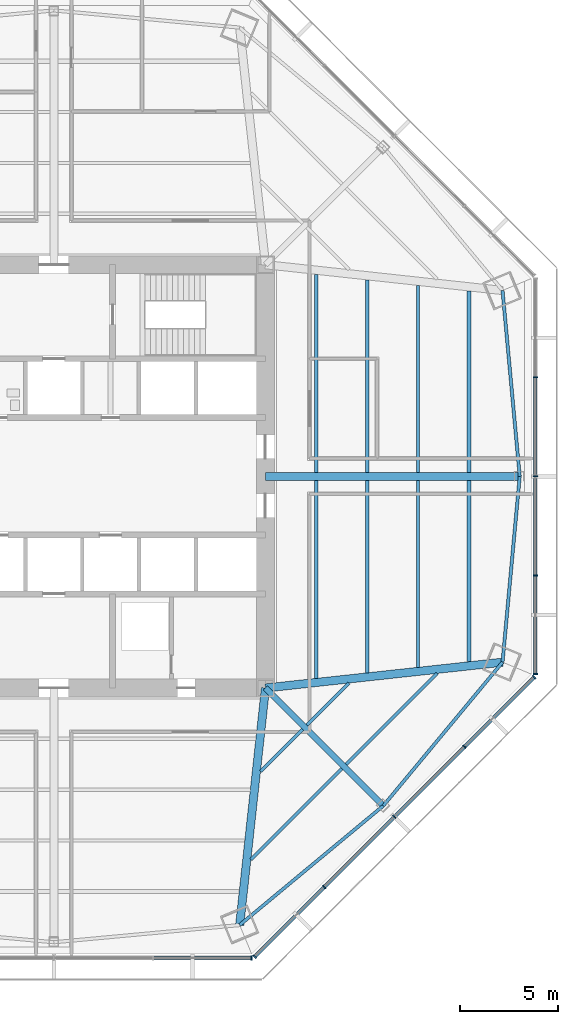
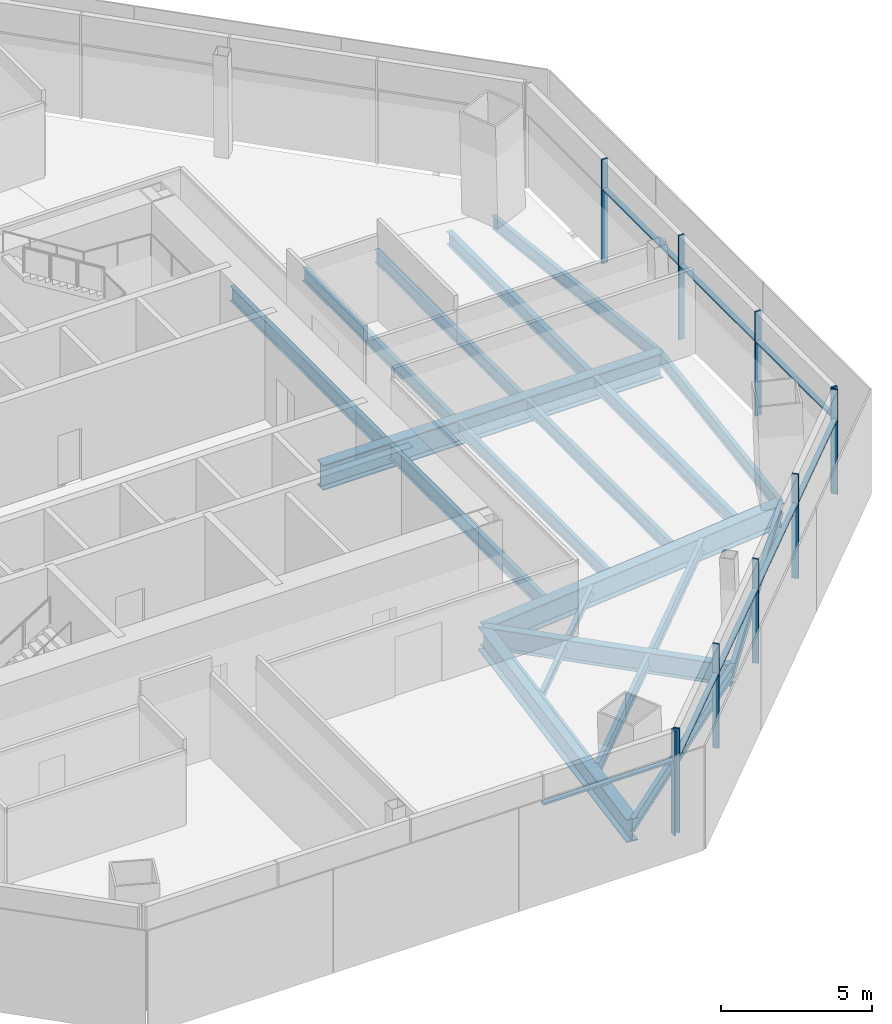
# One storey, part 4 of 14: 20 beams, 18 members, 3 elements without a shape of their own.
"""IFC4 building model written with IfcOpenShell, lengths in metres."""

from ifc_helpers import new_model, si_unit, direction, frame, origin, origin_2d, place, context, subcontext, project, spatial, rectangle, i_section, extrude, source, transform, mapped, material, material_profile, profile_set, type_object, type_shapes, element, aggregate, save


model = new_model("IFC4")

# Units and contexts
model_context = context("Model", 3, precision=1e-05, world=origin(), true_north=direction((0.0, 1.0)))
body_context = subcontext(model_context, "Body", "Model", "MODEL_VIEW")
ifc_project = project(units=[si_unit("LENGTHUNIT", "METRE"), si_unit("AREAUNIT", "SQUARE_METRE"), si_unit("VOLUMEUNIT", "CUBIC_METRE"), si_unit("PLANEANGLEUNIT", "RADIAN"), si_unit("MASSUNIT", "GRAM", prefix="KILO")], contexts=[model_context])

# Site, building, storey
site_placement = place(None, origin())
site = spatial("IfcSite", under=ifc_project, at=site_placement, CompositionType="ELEMENT")
building_placement = place(site_placement, origin())
building = spatial("IfcBuilding", under=site, at=building_placement, Name="Mashrafa Tower", CompositionType="ELEMENT")
storey_placement = place(building_placement, frame((0.0, 0.0, 121.800048828125)))
storey = spatial("IfcBuildingStorey", under=building, at=storey_placement, Name="L27", CompositionType="ELEMENT", Elevation=121.800048828125)

# Beams
ifc_material_1 = material(Name="Steel ASTM A992", Category="steel")
ifc_material_profile_1 = material_profile(ifc_material_1, i_section(OverallWidth=0.164794921875, OverallDepth=0.309814453125, WebThickness=0.005859375, FlangeThickness=0.009765625, FilletRadius=0.007568359375, at=origin_2d()), Name="W12X26")
ifc_profile_set_1 = profile_set([ifc_material_profile_1], Name="Steel ASTM A992")
beam_type_1 = type_object("IfcBeamType", Name="Beam W12X26", PredefinedType="BEAM", material=ifc_profile_set_1)
for number, where, z_axis, x_axis, name in (
    (1, (12.7001953125, -12.90673828125, -0.320068359375), (-0.707106781187, -0.707106781187, 0.0), (0.707106781187, -0.707106781187, 0.0), "Floor beam L27 035"),
    (2, (15.059814453125, -10.547119140625, -0.320068359375), (-0.707106781187, -0.707106781187, 0.0), (0.707106781187, -0.707106781187, 0.0), "Floor beam L27 041"),
):
    element("IfcBeam", number, at=place(storey_placement, frame(where, z_axis=z_axis, x_axis=x_axis)), inside=storey, type_object=beam_type_1, Name=name, PredefinedType="BEAM", context=body_context, shape_type="SweptSolid", body=[
        extrude(i_section(OverallWidth=0.164794921875, OverallDepth=0.309814453125, WebThickness=0.005859375, FlangeThickness=0.009765625, FilletRadius=0.007568359375, at=origin_2d()), origin(), (0.0, 0.0, 1.0), 3.044921875),
    ])
ifc_material_2 = material(Name="Steel ASTM A992", Category="steel")
ifc_material_profile_2 = material_profile(ifc_material_2, i_section(OverallWidth=0.1650390625, OverallDepth=0.52587890625, WebThickness=0.0087890625, FlangeThickness=0.011474609375, FilletRadius=0.0126953125, at=origin_2d()), Name="W21X44")
ifc_profile_set_2 = profile_set([ifc_material_profile_2], Name="Steel ASTM A992")
beam_type_2 = type_object("IfcBeamType", Name="Beam W21X44", PredefinedType="BEAM", material=ifc_profile_set_2)
beam_1_placement = place(storey_placement, frame((14.703857421875, -14.910400390625, -0.427978515625), z_axis=(-0.707106781187, -0.707106781187, 0.0), x_axis=(0.707106781187, -0.707106781187, 0.0)))
element("IfcBeam", 3, at=beam_1_placement, inside=storey, type_object=beam_type_2, Name="Floor beam L27 039", PredefinedType="BEAM", context=body_context, shape_type="SweptSolid", body=[
    extrude(i_section(OverallWidth=0.1650390625, OverallDepth=0.52587890625, WebThickness=0.0087890625, FlangeThickness=0.011474609375, FilletRadius=0.0126953125, at=origin_2d()), origin(), (0.0, 0.0, 1.0), 6.5703125),
])
for number, where, z_axis, x_axis, name in (
    (4, (15.989501953125, -0.20068359375, -0.427978515625), (0.0, -1.0, 0.0), (1.0, 0.0, 0.0), "Floor beam L27 042"),
    (5, (15.989501953125, 10.0244140625, -0.427978515625), (0.0, -1.0, 0.0), (1.0, 0.0, 0.0), "Floor beam L27 043"),
):
    element("IfcBeam", number, at=place(storey_placement, frame(where, z_axis=z_axis, x_axis=x_axis)), inside=storey, type_object=beam_type_2, Name=name, PredefinedType="BEAM", context=body_context, shape_type="SweptSolid", body=[
        extrude(i_section(OverallWidth=0.1650390625, OverallDepth=0.52587890625, WebThickness=0.0087890625, FlangeThickness=0.011474609375, FilletRadius=0.0126953125, at=origin_2d()), origin(), (0.0, 0.0, 1.0), 9.82373046875),
    ])
for number, where, z_axis, x_axis, name in (
    (6, (18.584228515625, -0.20068359375, -0.427978515625), (0.0, -1.0, 0.0), (1.0, 0.0, 0.0), "Floor beam L27 044"),
    (7, (18.584228515625, 9.7421875, -0.427978515625), (0.0, -1.0, 0.0), (1.0, 0.0, 0.0), "Floor beam L27 045"),
):
    element("IfcBeam", number, at=place(storey_placement, frame(where, z_axis=z_axis, x_axis=x_axis)), inside=storey, type_object=beam_type_2, Name=name, PredefinedType="BEAM", context=body_context, shape_type="SweptSolid", body=[
        extrude(i_section(OverallWidth=0.1650390625, OverallDepth=0.52587890625, WebThickness=0.0087890625, FlangeThickness=0.011474609375, FilletRadius=0.0126953125, at=origin_2d()), origin(), (0.0, 0.0, 1.0), 9.54150390625),
    ])
beam_2_placement = place(storey_placement, frame((19.556396484375, -10.057861328125, -0.427978515625), z_axis=(-0.707106781187, -0.707106781187, 0.0), x_axis=(0.707106781187, -0.707106781187, 0.0)))
element("IfcBeam", 8, at=beam_2_placement, inside=storey, type_object=beam_type_2, Name="Floor beam L27 046", PredefinedType="BEAM", context=body_context, shape_type="SweptSolid", body=[
    extrude(i_section(OverallWidth=0.1650390625, OverallDepth=0.52587890625, WebThickness=0.0087890625, FlangeThickness=0.011474609375, FilletRadius=0.0126953125, at=origin_2d()), origin(), (0.0, 0.0, 1.0), 6.5703125),
])
for number, where, z_axis, x_axis, name in (
    (9, (9.483642578125, -22.8955078125, -0.427978515625), (0.769293874267, 0.638895089209, 0.0), (-0.638895089209, 0.769293874267, 0.0), "Spandrel beam L27 074"),
    (10, (16.810546875, -16.810546875, -0.427978515625), (0.638895089209, 0.769293874267, 0.0), (-0.769293874267, 0.638895089209, 0.0), "Spandrel beam L27 076"),
    (11, (22.8955078125, -9.483642578125, -0.427978515625), (0.092204329172, 0.995740107499, 0.0), (-0.995740107499, 0.092204329172, 0.0), "Spandrel beam L27 078"),
    (12, (23.773681640625, 0.0, -0.427978515625), (-0.092204329172, 0.995740107499, 0.0), (-0.995740107499, -0.092204329172, 0.0), "Spandrel beam L27 080"),
):
    element("IfcBeam", number, at=place(storey_placement, frame(where, z_axis=z_axis, x_axis=x_axis)), inside=storey, type_object=beam_type_2, Name=name, PredefinedType="BEAM", context=body_context, shape_type="SweptSolid", body=[
        extrude(i_section(OverallWidth=0.1650390625, OverallDepth=0.52587890625, WebThickness=0.0087890625, FlangeThickness=0.011474609375, FilletRadius=0.0126953125, at=origin_2d()), origin(), (0.0, 0.0, 1.0), 9.524169921875),
    ])
ifc_material_3 = material(Name="Steel ASTM A992", Category="steel")
ifc_material_profile_3 = material_profile(ifc_material_3, i_section(OverallWidth=0.209228515625, OverallDepth=0.533447265625, WebThickness=0.01025390625, FlangeThickness=0.015625, FilletRadius=0.012939453125, at=origin_2d()), Name="W21X62")
ifc_profile_set_3 = profile_set([ifc_material_profile_3], Name="Steel ASTM A992")
beam_type_3 = type_object("IfcBeamType", Name="Beam W21X62", PredefinedType="BEAM", material=ifc_profile_set_3)
for number, where, z_axis, x_axis, name in (
    (13, (21.178955078125, -0.20068359375, -0.431640625), (0.0, -1.0, 0.0), (1.0, 0.0, 0.0), "Floor beam L27 047"),
    (14, (21.178955078125, 9.459716796875, -0.431640625), (0.0, -1.0, 0.0), (1.0, 0.0, 0.0), "Floor beam L27 048"),
):
    element("IfcBeam", number, at=place(storey_placement, frame(where, z_axis=z_axis, x_axis=x_axis)), inside=storey, type_object=beam_type_3, Name=name, PredefinedType="BEAM", context=body_context, shape_type="SweptSolid", body=[
        extrude(i_section(OverallWidth=0.209228515625, OverallDepth=0.533447265625, WebThickness=0.01025390625, FlangeThickness=0.015625, FilletRadius=0.012939453125, at=origin_2d()), origin(), (0.0, 0.0, 1.0), 9.259033203125),
    ])
ifc_material_4 = material(Name="Steel ASTM A992", Category="steel")
ifc_material_profile_4 = material_profile(ifc_material_4, i_section(OverallWidth=0.177978515625, OverallDepth=0.599365234375, WebThickness=0.010009765625, FlangeThickness=0.012939453125, FilletRadius=0.012939453125, at=origin_2d()), Name="W24X55")
ifc_profile_set_4 = profile_set([ifc_material_profile_4], Name="Steel ASTM A992")
beam_type_4 = type_object("IfcBeamType", Name="Beam W24X55", PredefinedType="BEAM", material=ifc_profile_set_4)
for number, where, z_axis, x_axis, name in (
    (15, (13.394775390625, -0.20068359375, -0.46484375), (0.0, -1.0, 0.0), (1.0, 0.0, 0.0), "Floor beam L27 037"),
    (16, (13.394775390625, 10.306884765625, -0.46484375), (0.0, -1.0, 0.0), (1.0, 0.0, 0.0), "Floor beam L27 038"),
):
    element("IfcBeam", number, at=place(storey_placement, frame(where, z_axis=z_axis, x_axis=x_axis)), inside=storey, type_object=beam_type_4, Name=name, PredefinedType="BEAM", context=body_context, shape_type="SweptSolid", body=[
        extrude(i_section(OverallWidth=0.177978515625, OverallDepth=0.599365234375, WebThickness=0.010009765625, FlangeThickness=0.012939453125, FilletRadius=0.012939453125, at=origin_2d()), origin(), (0.0, 0.0, 1.0), 10.106201171875),
    ])
ifc_material_5 = material(Name="Steel ASTM A992", Category="steel")
ifc_material_profile_5 = material_profile(ifc_material_5, i_section(OverallWidth=0.2919921875, OverallDepth=0.8408203125, WebThickness=0.0146484375, FlangeThickness=0.021728515625, FilletRadius=0.017333984375, at=origin_2d()), Name="W33X130")
ifc_profile_set_5 = profile_set([ifc_material_profile_5], Name="Steel ASTM A992")
beam_type_5 = type_object("IfcBeamType", Name="Beam W33X130", PredefinedType="BEAM", material=ifc_profile_set_5)
beam_3_placement = place(storey_placement, frame((10.800048828125, -10.800048828125, -0.58544921875), z_axis=(0.707106781187, -0.707106781187, 0.0), x_axis=(0.707106781187, 0.707106781187, 0.0)))
element("IfcBeam", 17, at=beam_3_placement, inside=storey, type_object=beam_type_5, Name="Radial girder L27 059", PredefinedType="BEAM", context=body_context, shape_type="SweptSolid", body=[
    extrude(i_section(OverallWidth=0.2919921875, OverallDepth=0.8408203125, WebThickness=0.0146484375, FlangeThickness=0.021728515625, FilletRadius=0.017333984375, at=origin_2d()), origin(), (0.0, 0.0, 1.0), 8.500244140625),
])
ifc_material_6 = material(Name="Steel ASTM A992", Category="steel")
ifc_material_profile_6 = material_profile(ifc_material_6, i_section(OverallWidth=0.419189453125, OverallDepth=0.927001953125, WebThickness=0.019287109375, FlangeThickness=0.031982421875, FilletRadius=0.020263671875, at=origin_2d()), Name="W36X231")
ifc_profile_set_6 = profile_set([ifc_material_profile_6], Name="Steel ASTM A992")
beam_type_6 = type_object("IfcBeamType", Name="Beam W36X231", PredefinedType="BEAM", material=ifc_profile_set_6)
for number, where, z_axis, x_axis, name in (
    (18, (10.800048828125, -10.800048828125, -0.628662109375), (-0.108195845951, -0.994129598654, 0.0), (0.994129598654, -0.108195845951, 0.0), "Radial girder L27 058"),
    (19, (10.800048828125, -10.800048828125, -0.628662109375), (0.994129598654, 0.108195845951, 0.0), (-0.108195845951, 0.994129598654, 0.0), "Radial girder L27 060"),
):
    element("IfcBeam", number, at=place(storey_placement, frame(where, z_axis=z_axis, x_axis=x_axis)), inside=storey, type_object=beam_type_6, Name=name, PredefinedType="BEAM", context=body_context, shape_type="SweptSolid", body=[
        extrude(i_section(OverallWidth=0.419189453125, OverallDepth=0.927001953125, WebThickness=0.019287109375, FlangeThickness=0.031982421875, FilletRadius=0.020263671875, at=origin_2d()), origin(), (0.0, 0.0, 1.0), 12.1669921875),
    ])
ifc_material_7 = material(Name="Steel ASTM A992", Category="steel")
ifc_material_profile_7 = material_profile(ifc_material_7, i_section(OverallWidth=0.4013671875, OverallDepth=1.010986328125, WebThickness=0.023681640625, FlangeThickness=0.0419921875, FilletRadius=0.02001953125, at=origin_2d()), Name="W40X297")
ifc_profile_set_7 = profile_set([ifc_material_profile_7], Name="Steel ASTM A992")
beam_type_7 = type_object("IfcBeamType", Name="Beam W40X297", PredefinedType="BEAM", material=ifc_profile_set_7)
beam_4_placement = place(storey_placement, frame((10.800048828125, 0.0, -0.67041015625), z_axis=(1.0, 0.0, 0.0), x_axis=(0.0, 1.0, 0.0)))
element("IfcBeam", 20, at=beam_4_placement, inside=storey, type_object=beam_type_7, Name="Radial girder L27 061", PredefinedType="BEAM", context=body_context, shape_type="SweptSolid", body=[
    extrude(i_section(OverallWidth=0.4013671875, OverallDepth=1.010986328125, WebThickness=0.023681640625, FlangeThickness=0.0419921875, FilletRadius=0.02001953125, at=origin_2d()), origin(), (0.0, 0.0, 1.0), 12.9736328125),
])

# Curtain wall, members
ifc_material_8 = material(Name="Unitised aluminium curtain wall", Category="aluminium")
curtain_wall_type = type_object("IfcCurtainWallType", Name="Office curtain wall, zone 2 CW-B 225 deep", PredefinedType="NOTDEFINED", material=ifc_material_8)
curtain_wall_1_placement = place(storey_placement, origin())
curtain_wall_1 = element("IfcCurtainWall", 21, at=curtain_wall_1_placement, inside=storey, type_object=curtain_wall_type, Name="Office curtain wall, zone 2 L27 east", PredefinedType="NOTDEFINED")
ifc_material_9 = material(Name="Extruded aluminium mullion", Category="aluminium")
ifc_material_profile_8 = material_profile(ifc_material_9, rectangle(XDim=0.22509765625, YDim=0.06494140625, at=origin_2d()), Name="Mullion 65x225")
ifc_profile_set_8 = profile_set([ifc_material_profile_8], Name="Extruded aluminium mullion")
member_type_1 = type_object("IfcMemberType", Name="Mullion CW-B 65 x 225", PredefinedType="MULLION", material=ifc_profile_set_8)
shared_shape_1 = source(origin(), body_context, "Body", "SweptSolid", [
    extrude(rectangle(XDim=0.22509765625, YDim=0.06494140625, at=origin_2d()), origin(), (0.0, 0.0, 1.0), 4.199951171875),
])
type_shapes(member_type_1, [shared_shape_1])
member_1_placement = place(storey_placement, frame((24.569091796875, -10.087890625, 0.0), z_axis=(0.0, 0.0, 1.0), x_axis=(-1.0, 0.0, 0.0)))
member_1 = element("IfcMember", 22, at=member_1_placement, type_object=member_type_1, Name="CW-B mullion 1", PredefinedType="MULLION", context=body_context, shape_type="MappedRepresentation", body=[
    mapped(shared_shape_1, transform((0.0, 0.0, 0.0))),
])
member_2_placement = place(storey_placement, frame((24.569091796875, -5.06005859375, 0.0), z_axis=(0.0, 0.0, 1.0), x_axis=(-1.0, 0.0, 0.0)))
member_2 = element("IfcMember", 23, at=member_2_placement, type_object=member_type_1, Name="CW-B mullion 2", PredefinedType="MULLION", context=body_context, shape_type="MappedRepresentation", body=[
    mapped(shared_shape_1, transform((0.0, 0.0, 0.0))),
])
member_3_placement = place(storey_placement, frame((24.569091796875, 0.0, 0.0), z_axis=(0.0, 0.0, 1.0), x_axis=(-1.0, 0.0, 0.0)))
member_3 = element("IfcMember", 24, at=member_3_placement, type_object=member_type_1, Name="CW-B mullion 3", PredefinedType="MULLION", context=body_context, shape_type="MappedRepresentation", body=[
    mapped(shared_shape_1, transform((0.0, 0.0, 0.0))),
])
member_4_placement = place(storey_placement, frame((24.569091796875, 5.06005859375, 0.0), z_axis=(0.0, 0.0, 1.0), x_axis=(-1.0, 0.0, 0.0)))
member_4 = element("IfcMember", 25, at=member_4_placement, type_object=member_type_1, Name="CW-B mullion 4", PredefinedType="MULLION", context=body_context, shape_type="MappedRepresentation", body=[
    mapped(shared_shape_1, transform((0.0, 0.0, 0.0))),
])

# Curtain wall, member
curtain_wall_2_placement = place(storey_placement, origin())
curtain_wall_2 = element("IfcCurtainWall", 26, at=curtain_wall_2_placement, inside=storey, type_object=curtain_wall_type, Name="Office curtain wall, zone 2 L27 south", PredefinedType="NOTDEFINED")
member_5_placement = place(storey_placement, frame((10.087890625, -24.569091796875, 0.0), z_axis=(0.0, 0.0, 1.0), x_axis=(0.0, 1.0, 0.0)))
member_5 = element("IfcMember", 27, at=member_5_placement, type_object=member_type_1, Name="CW-B mullion 5", PredefinedType="MULLION", context=body_context, shape_type="MappedRepresentation", body=[
    mapped(shared_shape_1, transform((0.0, 0.0, 0.0))),
])

# Curtain wall, members
curtain_wall_3_placement = place(storey_placement, origin())
curtain_wall_3 = element("IfcCurtainWall", 28, at=curtain_wall_3_placement, inside=storey, type_object=curtain_wall_type, Name="Office curtain wall, zone 2 L27 south-east", PredefinedType="NOTDEFINED")
member_6_placement = place(storey_placement, frame((10.239990234375, -24.506103515625, 0.0), z_axis=(0.0, 0.0, 1.0), x_axis=(-0.707106781187, 0.707106781187, 0.0)))
member_6 = element("IfcMember", 29, at=member_6_placement, type_object=member_type_1, Name="CW-B mullion 1", PredefinedType="MULLION", context=body_context, shape_type="MappedRepresentation", body=[
    mapped(shared_shape_1, transform((0.0, 0.0, 0.0))),
])
member_7_placement = place(storey_placement, frame((13.794921875, -20.951171875, 0.0), z_axis=(0.0, 0.0, 1.0), x_axis=(-0.707106781187, 0.707106781187, 0.0)))
member_7 = element("IfcMember", 30, at=member_7_placement, type_object=member_type_1, Name="CW-B mullion 2", PredefinedType="MULLION", context=body_context, shape_type="MappedRepresentation", body=[
    mapped(shared_shape_1, transform((0.0, 0.0, 0.0))),
])
member_8_placement = place(storey_placement, frame((17.373046875, -17.373046875, 0.0), z_axis=(0.0, 0.0, 1.0), x_axis=(-0.707106781187, 0.707106781187, 0.0)))
member_8 = element("IfcMember", 31, at=member_8_placement, type_object=member_type_1, Name="CW-B mullion 3", PredefinedType="MULLION", context=body_context, shape_type="MappedRepresentation", body=[
    mapped(shared_shape_1, transform((0.0, 0.0, 0.0))),
])
member_9_placement = place(storey_placement, frame((20.951171875, -13.794921875, 0.0), z_axis=(0.0, 0.0, 1.0), x_axis=(-0.707106781187, 0.707106781187, 0.0)))
member_9 = element("IfcMember", 32, at=member_9_placement, type_object=member_type_1, Name="CW-B mullion 4", PredefinedType="MULLION", context=body_context, shape_type="MappedRepresentation", body=[
    mapped(shared_shape_1, transform((0.0, 0.0, 0.0))),
])
member_10_placement = place(storey_placement, frame((24.506103515625, -10.239990234375, 0.0), z_axis=(0.0, 0.0, 1.0), x_axis=(-0.707106781187, 0.707106781187, 0.0)))
member_10 = element("IfcMember", 33, at=member_10_placement, type_object=member_type_1, Name="CW-B mullion 5", PredefinedType="MULLION", context=body_context, shape_type="MappedRepresentation", body=[
    mapped(shared_shape_1, transform((0.0, 0.0, 0.0))),
])

# Member
ifc_material_10 = material(Name="Extruded aluminium transom", Category="aluminium")
ifc_material_profile_9 = material_profile(ifc_material_10, rectangle(XDim=0.179931640625, YDim=0.080078125, at=origin_2d()), Name="Transom 80x180")
ifc_profile_set_9 = profile_set([ifc_material_profile_9], Name="Extruded aluminium transom")
member_type_2 = type_object("IfcMemberType", Name="Transom CW-B 80 x 180", PredefinedType="MULLION", material=ifc_profile_set_9)
shared_shape_2 = source(origin(), body_context, "Body", "SweptSolid", [
    extrude(rectangle(XDim=0.179931640625, YDim=0.080078125, at=origin_2d()), origin(), (0.0, 0.0, 1.0), 4.962646484375),
])
member_11_placement = place(storey_placement, frame((24.569091796875, -10.05517578125, 3.0), z_axis=(0.0, 1.0, 0.0), x_axis=(-1.0, 0.0, 0.0)))
member_11 = element("IfcMember", 34, at=member_11_placement, type_object=member_type_2, Name="CW-B transom 1", PredefinedType="MULLION", context=body_context, shape_type="MappedRepresentation", body=[
    mapped(shared_shape_2, transform((0.0, 0.0, 0.0))),
])

member_12_placement = place(storey_placement, frame((5.092529296875, -24.569091796875, 3.0), z_axis=(1.0, 0.0, 0.0), x_axis=(0.0, 1.0, 0.0)))
member_12 = element("IfcMember", 35, at=member_12_placement, type_object=member_type_2, Name="CW-B transom 4", PredefinedType="MULLION", context=body_context, shape_type="MappedRepresentation", body=[
    mapped(shared_shape_2, transform((0.0, 0.0, 0.0))),
])

aggregate(curtain_wall_2, [member_5, member_12])

shared_shape_3 = source(origin(), body_context, "Body", "SweptSolid", [
    extrude(rectangle(XDim=0.179931640625, YDim=0.080078125, at=origin_2d()), origin(), (0.0, 0.0, 1.0), 4.9951171875),
])
member_13_placement = place(storey_placement, frame((24.569091796875, -5.027587890625, 3.0), z_axis=(0.0, 1.0, 0.0), x_axis=(-1.0, 0.0, 0.0)))
member_13 = element("IfcMember", 36, at=member_13_placement, type_object=member_type_2, Name="CW-B transom 2", PredefinedType="MULLION", context=body_context, shape_type="MappedRepresentation", body=[
    mapped(shared_shape_3, transform((0.0, 0.0, 0.0))),
])

member_14_placement = place(storey_placement, frame((24.569091796875, 0.032470703125, 3.0), z_axis=(0.0, 1.0, 0.0), x_axis=(-1.0, 0.0, 0.0)))
member_14 = element("IfcMember", 37, at=member_14_placement, type_object=member_type_2, Name="CW-B transom 3", PredefinedType="MULLION", context=body_context, shape_type="MappedRepresentation", body=[
    mapped(shared_shape_3, transform((0.0, 0.0, 0.0))),
])

aggregate(curtain_wall_1, [member_1, member_2, member_3, member_4, member_11, member_13, member_14])

shared_shape_4 = source(origin(), body_context, "Body", "SweptSolid", [
    extrude(rectangle(XDim=0.179931640625, YDim=0.080078125, at=origin_2d()), origin(), (0.0, 0.0, 1.0), 4.96240234375),
])
member_15_placement = place(storey_placement, frame((10.262939453125, -24.483154296875, 3.0), z_axis=(0.707106781187, 0.707106781187, 0.0), x_axis=(-0.707106781187, 0.707106781187, 0.0)))
member_15 = element("IfcMember", 38, at=member_15_placement, type_object=member_type_2, Name="CW-B transom 1", PredefinedType="MULLION", context=body_context, shape_type="MappedRepresentation", body=[
    mapped(shared_shape_4, transform((0.0, 0.0, 0.0))),
])

member_16_placement = place(storey_placement, frame((20.97412109375, -13.77197265625, 3.0), z_axis=(0.707106781187, 0.707106781187, 0.0), x_axis=(-0.707106781187, 0.707106781187, 0.0)))
member_16 = element("IfcMember", 39, at=member_16_placement, type_object=member_type_2, Name="CW-B transom 4", PredefinedType="MULLION", context=body_context, shape_type="MappedRepresentation", body=[
    mapped(shared_shape_4, transform((0.0, 0.0, 0.0))),
])

shared_shape_5 = source(origin(), body_context, "Body", "SweptSolid", [
    extrude(rectangle(XDim=0.179931640625, YDim=0.080078125, at=origin_2d()), origin(), (0.0, 0.0, 1.0), 4.995361328125),
])
type_shapes(member_type_2, [shared_shape_2, shared_shape_3, shared_shape_4, shared_shape_5])
member_17_placement = place(storey_placement, frame((13.81787109375, -20.92822265625, 3.0), z_axis=(0.707106781187, 0.707106781187, 0.0), x_axis=(-0.707106781187, 0.707106781187, 0.0)))
member_17 = element("IfcMember", 40, at=member_17_placement, type_object=member_type_2, Name="CW-B transom 2", PredefinedType="MULLION", context=body_context, shape_type="MappedRepresentation", body=[
    mapped(shared_shape_5, transform((0.0, 0.0, 0.0))),
])

member_18_placement = place(storey_placement, frame((17.39599609375, -17.35009765625, 3.0), z_axis=(0.707106781187, 0.707106781187, 0.0), x_axis=(-0.707106781187, 0.707106781187, 0.0)))
member_18 = element("IfcMember", 41, at=member_18_placement, type_object=member_type_2, Name="CW-B transom 3", PredefinedType="MULLION", context=body_context, shape_type="MappedRepresentation", body=[
    mapped(shared_shape_5, transform((0.0, 0.0, 0.0))),
])

aggregate(curtain_wall_3, [member_6, member_7, member_8, member_9, member_10, member_15, member_17, member_18, member_16])

save(model, "model.ifc")
